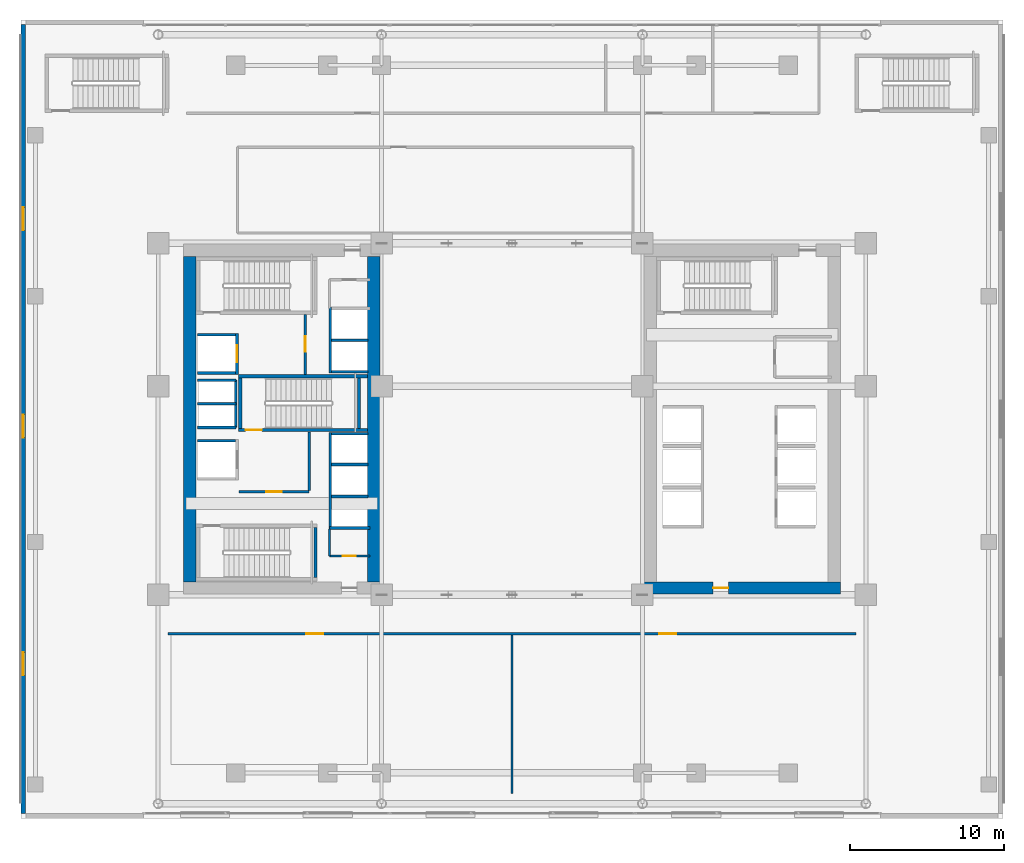
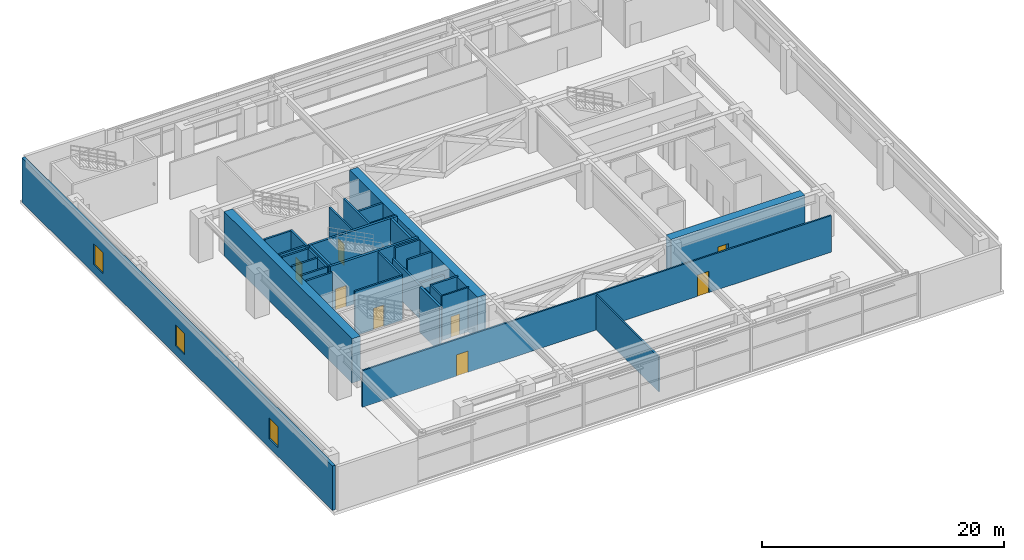
# One storey, part 19 of 28: 32 walls, 8 doors, 3 windows, 11 openings.
"""IFC4 building model written with IfcOpenShell, lengths in metres."""

from ifc_helpers import new_model, si_unit, direction, frame, frame_2d, origin, place, context, subcontext, project, spatial, rectangle, extrude, source, transform, mapped, material, layer, layer_set, type_object, element, fill, save


model = new_model("IFC4")

# Units and contexts
model_context = context("Model", 3, precision=1e-05, world=origin(), true_north=direction((0.0, 1.0)))
body_context = subcontext(model_context, "Body", "Model", "MODEL_VIEW")
ifc_project = project(units=[si_unit("LENGTHUNIT", "METRE"), si_unit("AREAUNIT", "SQUARE_METRE"), si_unit("VOLUMEUNIT", "CUBIC_METRE"), si_unit("PLANEANGLEUNIT", "RADIAN"), si_unit("MASSUNIT", "GRAM", prefix="KILO")], contexts=[model_context])

# Site, building, storey
site_placement = place(None, origin())
site = spatial("IfcSite", under=ifc_project, at=site_placement, CompositionType="ELEMENT")
building_placement = place(site_placement, origin())
building = spatial("IfcBuilding", under=site, at=building_placement, Name="Ocotamira Hotel", CompositionType="ELEMENT")
storey_placement = place(building_placement, frame((0.0, 0.0, 24.0)))
storey = spatial("IfcBuildingStorey", under=building, at=storey_placement, Name="L05", CompositionType="ELEMENT", Elevation=24.0)

# Walls
ifc_material_1 = material(Name="Concrete C60/75", Category="concrete")
ifc_layer_1 = layer(ifc_material_1, 0.800048828125)
ifc_layer_set_1 = layer_set([ifc_layer_1], Name="Concrete C60/75")
wall_type_1 = type_object("IfcWallType", Name="WL-CORE-800", PredefinedType="SHEAR", material=ifc_layer_set_1)
for number, where, z_axis, x_axis, name in (
    (1, (11.0, 15.39990234375, 0.0), (0.0, 0.0, 1.0), (0.0, 1.0, 0.0), "L05 Shear Core Wall WCORE-W"),
    (2, (23.0, 15.39990234375, 0.0), (0.0, 0.0, 1.0), (0.0, 1.0, 0.0), "L05 Shear Core Wall WCORE-E"),
):
    element("IfcWall", number, at=place(storey_placement, frame(where, z_axis=z_axis, x_axis=x_axis)), inside=storey, type_object=wall_type_1, Name=name, PredefinedType="SHEAR", context=body_context, shape_type="SweptSolid", body=[
        extrude(rectangle(XDim=21.2001953125, YDim=0.800048828125, at=frame_2d((10.60009765625, 0.0))), origin(), (0.0, 0.0, 1.0), 4.47998046875),
    ])

# Wall, opening, door
wall_1_placement = place(storey_placement, frame((40.60009765625, 15.0, 0.0), z_axis=(0.0, 0.0, 1.0), x_axis=(1.0, 0.0, 0.0)))
wall_1 = element("IfcWall", 3, at=wall_1_placement, inside=storey, type_object=wall_type_1, Name="L05 Shear Core Wall ECORE-S", PredefinedType="SHEAR", context=body_context, shape_type="SweptSolid", body=[
    extrude(rectangle(XDim=12.7998046875, YDim=0.800048828125, at=frame_2d((6.39990234375, 0.0))), origin(), (0.0, 0.0, 1.0), 4.47998046875),
])
opening_1_placement = place(wall_1_placement, frame((4.5, 0.0, 0.0)))
opening_1 = element("IfcOpeningElement", 4, at=opening_1_placement, cuts=wall_1, Name="Opening D-FR2", PredefinedType="OPENING", context=body_context, shape_type="SweptSolid", body=[
    extrude(rectangle(XDim=1.0, YDim=2.14990234375, at=frame_2d((0.5, 1.074951171875))), frame((0.0, 0.41015625, 0.0), z_axis=(0.0, -1.0, 0.0), x_axis=(1.0, 0.0, 0.0)), (0.0, 0.0, 1.0), 0.820068359375),
])
ifc_material_2 = material(Name="Fire-rated acoustic timber-veneer door", Category="wood")
door_type_1 = type_object("IfcDoorType", Name="DR-FIRE-1000", OperationType="NOTDEFINED", PredefinedType="DOOR", material=ifc_material_2)
shared_shape_1 = source(origin(), body_context, "Body", "SweptSolid", [
    extrude(rectangle(XDim=1.0, YDim=2.14990234375, at=frame_2d((0.5, 1.074951171875))), frame((0.0, 0.02490234375, 0.0), z_axis=(0.0, -1.0, 0.0), x_axis=(1.0, 0.0, 0.0)), (0.0, 0.0, 1.0), 0.050048828125),
])
door_1_placement = place(opening_1_placement, origin())
door_1 = element("IfcDoor", 5, at=door_1_placement, inside=storey, type_object=door_type_1, Name="L05 Door ID-L05-ELOB-S-D [ID-L05-ELOB-S-D]", OperationType="SINGLE_SWING_RIGHT", OverallHeight=2.14990234375, OverallWidth=1.0, PredefinedType="DOOR", context=body_context, shape_type="MappedRepresentation", body=[
    mapped(shared_shape_1, transform((0.0, 0.0, 0.0), scale=1.0)),
])
fill(opening_1, door_1)

# Wall, openings, windows
ifc_material_3 = material(Name="Travertine-clad precast concrete C45/55", Category="masonry")
ifc_layer_2 = layer(ifc_material_3, 0.300048828125)
ifc_layer_set_2 = layer_set([ifc_layer_2], Name="Travertine-clad precast concrete C45/55")
wall_type_2 = type_object("IfcWallType", Name="WL-EXT-POD-300", PredefinedType="SOLIDWALL", material=ifc_layer_set_2)
wall_2_placement = place(storey_placement, frame((0.14990234375, 0.300048828125, 0.0), z_axis=(0.0, 0.0, 1.0), x_axis=(0.0, 1.0, 0.0)))
wall_2 = element("IfcWall", 6, at=wall_2_placement, inside=storey, type_object=wall_type_2, Name="L05 West Podium Travertine Wall", PredefinedType="SOLIDWALL", context=body_context, shape_type="SweptSolid", body=[
    extrude(rectangle(XDim=51.39990234375, YDim=0.300048828125, at=frame_2d((25.699951171875, 0.0))), origin(), (0.0, 0.0, 1.0), 4.47998046875),
])
opening_2_placement = place(wall_2_placement, frame((9.0, 0.0, 0.89990234375)))
opening_2 = element("IfcOpeningElement", 7, at=opening_2_placement, cuts=wall_2, Name="Opening WN-6", PredefinedType="OPENING", context=body_context, shape_type="SweptSolid", body=[
    extrude(rectangle(XDim=1.5, YDim=2.10009765625, at=frame_2d((0.75, 1.050048828125))), frame((0.0, 0.16015625, 0.0), z_axis=(0.0, -1.0, 0.0), x_axis=(1.0, 0.0, 0.0)), (0.0, 0.0, 1.0), 0.320068359375),
])
opening_3_placement = place(wall_2_placement, frame((24.5, 0.0, 0.89990234375)))
opening_3 = element("IfcOpeningElement", 8, at=opening_3_placement, cuts=wall_2, Name="Opening WN-6", PredefinedType="OPENING", context=body_context, shape_type="SweptSolid", body=[
    extrude(rectangle(XDim=1.5, YDim=2.10009765625, at=frame_2d((0.75, 1.050048828125))), frame((0.0, 0.16015625, 0.0), z_axis=(0.0, -1.0, 0.0), x_axis=(1.0, 0.0, 0.0)), (0.0, 0.0, 1.0), 0.320068359375),
])
opening_4_placement = place(wall_2_placement, frame((38.0, 0.0, 0.89990234375)))
opening_4 = element("IfcOpeningElement", 9, at=opening_4_placement, cuts=wall_2, Name="Opening WN-6", PredefinedType="OPENING", context=body_context, shape_type="SweptSolid", body=[
    extrude(rectangle(XDim=1.5, YDim=2.10009765625, at=frame_2d((0.75, 1.050048828125))), frame((0.0, 0.16015625, 0.0), z_axis=(0.0, -1.0, 0.0), x_axis=(1.0, 0.0, 0.0)), (0.0, 0.0, 1.0), 0.320068359375),
])
ifc_material_4 = material(Name="Double-silver low-E solar glass", Category="glass")
window_type = type_object("IfcWindowType", Name="WIN-POD-1500", PartitioningType="SINGLE_PANEL", PredefinedType="WINDOW", material=ifc_material_4)
shared_shape_2 = source(origin(), body_context, "Body", "SweptSolid", [
    extrude(rectangle(XDim=1.5, YDim=2.10009765625, at=frame_2d((0.75, 1.050048828125))), frame((0.0, 0.030029296875, 0.0), z_axis=(0.0, -1.0, 0.0), x_axis=(1.0, 0.0, 0.0)), (0.0, 0.0, 1.0), 0.06005859375),
])
window_1_placement = place(opening_2_placement, origin())
window_1 = element("IfcWindow", 10, at=window_1_placement, inside=storey, type_object=window_type, Name="L05 West Podium Window 1", OverallHeight=2.10009765625, OverallWidth=1.5, PartitioningType="SINGLE_PANEL", PredefinedType="WINDOW", context=body_context, shape_type="MappedRepresentation", body=[
    mapped(shared_shape_2, transform((0.0, 0.0, 0.0), scale=1.0)),
])
fill(opening_2, window_1)
window_2_placement = place(opening_3_placement, origin())
window_2 = element("IfcWindow", 11, at=window_2_placement, inside=storey, type_object=window_type, Name="L05 West Podium Window 2", OverallHeight=2.10009765625, OverallWidth=1.5, PartitioningType="SINGLE_PANEL", PredefinedType="WINDOW", context=body_context, shape_type="MappedRepresentation", body=[
    mapped(shared_shape_2, transform((0.0, 0.0, 0.0), scale=1.0)),
])
fill(opening_3, window_2)
window_3_placement = place(opening_4_placement, origin())
window_3 = element("IfcWindow", 12, at=window_3_placement, inside=storey, type_object=window_type, Name="L05 West Podium Window 3", OverallHeight=2.10009765625, OverallWidth=1.5, PartitioningType="SINGLE_PANEL", PredefinedType="WINDOW", context=body_context, shape_type="MappedRepresentation", body=[
    mapped(shared_shape_2, transform((0.0, 0.0, 0.0), scale=1.0)),
])
fill(opening_4, window_3)

# Wall, opening, door
ifc_material_5 = material(Name="Acoustic double-layer fire gypsum board partition", Category="gypsum")
ifc_layer_3 = layer(ifc_material_5, 0.159912109375)
ifc_layer_set_3 = layer_set([ifc_layer_3], Name="Acoustic double-layer fire gypsum board partition")
wall_type_3 = type_object("IfcWallType", Name="WL-FIRE-160", PredefinedType="PARTITIONING", material=ifc_layer_set_3)
wall_3_placement = place(storey_placement, frame((14.199951171875, 21.27001953125, 0.0), z_axis=(0.0, 0.0, 1.0), x_axis=(1.0, 0.0, 0.0)))
wall_3 = element("IfcWall", 13, at=wall_3_placement, inside=storey, type_object=wall_type_3, Name="L05 Interior Wall PW-L05-FSAE1-S", PredefinedType="PARTITIONING", context=body_context, shape_type="SweptSolid", body=[
    extrude(rectangle(XDim=4.580078125, YDim=0.159912109375, at=frame_2d((2.2900390625, 0.0))), origin(), (0.0, 0.0, 1.0), 4.47998046875),
])
opening_5_placement = place(wall_3_placement, frame((1.800048828125, 0.0, 0.0)))
opening_5 = element("IfcOpeningElement", 14, at=opening_5_placement, cuts=wall_3, Name="Opening D-FR2", PredefinedType="OPENING", context=body_context, shape_type="SweptSolid", body=[
    extrude(rectangle(XDim=1.0, YDim=2.14990234375, at=frame_2d((0.5, 1.074951171875))), frame((0.0, 0.08984375, 0.0), z_axis=(0.0, -1.0, 0.0), x_axis=(1.0, 0.0, 0.0)), (0.0, 0.0, 1.0), 0.179931640625),
])
door_2_placement = place(opening_5_placement, origin())
door_2 = element("IfcDoor", 15, at=door_2_placement, inside=storey, type_object=door_type_1, Name="L05 Door ID-L05-FSAE1-D [ID-L05-FSAE1-D]", OperationType="SINGLE_SWING_LEFT", OverallHeight=2.14990234375, OverallWidth=1.0, PredefinedType="DOOR", context=body_context, shape_type="MappedRepresentation", body=[
    mapped(shared_shape_1, transform((0.0, 0.0, 0.0), scale=1.0)),
])
fill(opening_5, door_2)

# Wall
wall_4_placement = place(storey_placement, frame((18.780029296875, 21.35009765625, 0.0), z_axis=(0.0, 0.0, 1.0), x_axis=(0.0, 1.0, 0.0)))
element("IfcWall", 16, at=wall_4_placement, inside=storey, type_object=wall_type_3, Name="L05 Interior Wall PW-L05-FSAE1-E", PredefinedType="PARTITIONING", context=body_context, shape_type="SweptSolid", body=[
    extrude(rectangle(XDim=3.809814453125, YDim=0.159912109375, at=frame_2d((1.90478515625, 0.0))), origin(), (0.0, 0.0, 1.0), 4.47998046875),
])

# Wall, opening, door
wall_5_placement = place(storey_placement, frame((18.530029296875, 28.89990234375, 0.0), z_axis=(0.0, 0.0, 1.0), x_axis=(0.0, 1.0, 0.0)))
wall_5 = element("IfcWall", 17, at=wall_5_placement, inside=storey, type_object=wall_type_3, Name="L05 Interior Wall PW-L05-FSAE2-E", PredefinedType="PARTITIONING", context=body_context, shape_type="SweptSolid", body=[
    extrude(rectangle(XDim=3.900146484375, YDim=0.159912109375, at=frame_2d((1.9501953125, 0.0))), origin(), (0.0, 0.0, 1.0), 4.47998046875),
])
opening_6_placement = place(wall_5_placement, frame((1.5, 0.0, 0.0)))
opening_6 = element("IfcOpeningElement", 18, at=opening_6_placement, cuts=wall_5, Name="Opening D-FR2", PredefinedType="OPENING", context=body_context, shape_type="SweptSolid", body=[
    extrude(rectangle(XDim=1.0, YDim=2.14990234375, at=frame_2d((0.5, 1.074951171875))), frame((0.0, 0.08984375, 0.0), z_axis=(0.0, -1.0, 0.0), x_axis=(1.0, 0.0, 0.0)), (0.0, 0.0, 1.0), 0.179931640625),
])
door_3_placement = place(opening_6_placement, origin())
door_3 = element("IfcDoor", 19, at=door_3_placement, inside=storey, type_object=door_type_1, Name="L05 Door ID-L05-FSAE2-D [ID-L05-FSAE2-D]", OperationType="SINGLE_SWING_RIGHT", OverallHeight=2.14990234375, OverallWidth=1.0, PredefinedType="DOOR", context=body_context, shape_type="MappedRepresentation", body=[
    mapped(shared_shape_1, transform((0.0, 0.0, 0.0), scale=1.0)),
])
fill(opening_6, door_3)

# Wall
ifc_material_6 = material(Name="Acoustic hospitality gypsum board partition", Category="gypsum")
ifc_layer_4 = layer(ifc_material_6, 0.14208984375)
ifc_layer_set_4 = layer_set([ifc_layer_4], Name="Acoustic hospitality gypsum board partition")
wall_type_4 = type_object("IfcWallType", Name="WL-PART-142", PredefinedType="PARTITIONING", material=ifc_layer_set_4)
wall_6_placement = place(storey_placement, frame((20.1201171875, 17.080078125, 0.0), z_axis=(0.0, 0.0, 1.0), x_axis=(0.0, 1.0, 0.0)))
element("IfcWall", 20, at=wall_6_placement, inside=storey, type_object=wall_type_4, Name="L05 Interior Wall PW-L05-WC-SE-W2", PredefinedType="PARTITIONING", context=body_context, shape_type="SweptSolid", body=[
    extrude(rectangle(XDim=1.760009765625, YDim=0.14208984375, at=frame_2d((0.8798828125, 0.0))), origin(), (0.0, 0.0, 1.0), 4.47998046875),
])

# Wall, opening, door
wall_7_placement = place(storey_placement, frame((20.1201171875, 17.080078125, 0.0), z_axis=(0.0, 0.0, 1.0), x_axis=(1.0, 0.0, 0.0)))
wall_7 = element("IfcWall", 21, at=wall_7_placement, inside=storey, type_object=wall_type_4, Name="L05 Interior Wall PW-L05-WC-SE-S2", PredefinedType="PARTITIONING", context=body_context, shape_type="SweptSolid", body=[
    extrude(rectangle(XDim=2.6298828125, YDim=0.14208984375, at=frame_2d((1.31494140625, 0.0))), origin(), (0.0, 0.0, 1.0), 4.47998046875),
])
opening_7_placement = place(wall_7_placement, frame((0.85009765625, 0.0, 0.0)))
opening_7 = element("IfcOpeningElement", 22, at=opening_7_placement, cuts=wall_7, Name="Opening D-SV1", PredefinedType="OPENING", context=body_context, shape_type="SweptSolid", body=[
    extrude(rectangle(XDim=0.840087890625, YDim=2.10009765625, at=frame_2d((0.419921875, 1.050048828125))), frame((0.0, 0.0810546875, 0.0), z_axis=(0.0, -1.0, 0.0), x_axis=(1.0, 0.0, 0.0)), (0.0, 0.0, 1.0), 0.162109375),
])
ifc_material_7 = material(Name="Fire-rated painted steel service door", Category="steel")
door_type_2 = type_object("IfcDoorType", Name="DR-SERV-840", OperationType="NOTDEFINED", PredefinedType="DOOR", material=ifc_material_7)
shared_shape_3 = source(origin(), body_context, "Body", "SweptSolid", [
    extrude(rectangle(XDim=0.840087890625, YDim=2.10009765625, at=frame_2d((0.419921875, 1.050048828125))), frame((0.0, 0.02490234375, 0.0), z_axis=(0.0, -1.0, 0.0), x_axis=(1.0, 0.0, 0.0)), (0.0, 0.0, 1.0), 0.050048828125),
])
door_4_placement = place(opening_7_placement, origin())
door_4 = element("IfcDoor", 23, at=door_4_placement, inside=storey, type_object=door_type_2, Name="L05 Door ID-L05-WC-SE-D2 [ID-L05-WC-SE-D2]", OperationType="SINGLE_SWING_LEFT", OverallHeight=2.10009765625, OverallWidth=0.840087890625, PredefinedType="DOOR", context=body_context, shape_type="MappedRepresentation", body=[
    mapped(shared_shape_3, transform((0.0, 0.0, 0.0), scale=1.0)),
])
fill(opening_7, door_4)

# Wall
ifc_layer_5 = layer(ifc_material_6, 0.14990234375)
ifc_layer_set_5 = layer_set([ifc_layer_5], Name="Acoustic hospitality gypsum board partition")
wall_type_5 = type_object("IfcWallType", Name="WL-PART-150", PredefinedType="PARTITIONING", material=ifc_layer_set_5)
wall_8_placement = place(storey_placement, frame((32.0, 1.60009765625, 0.0), z_axis=(0.0, 0.0, 1.0), x_axis=(0.0, 1.0, 0.0)))
element("IfcWall", 24, at=wall_8_placement, inside=storey, type_object=wall_type_5, Name="L05 Interior Wall PW-L05-L05-SG-DIV", PredefinedType="PARTITIONING", context=body_context, shape_type="SweptSolid", body=[
    extrude(rectangle(XDim=10.349853515625, YDim=0.14990234375, at=frame_2d((5.1748046875, 0.0))), origin(), (0.0, 0.0, 1.0), 3.531982421875),
])

# Wall, openings, doors
wall_9_placement = place(storey_placement, frame((9.60009765625, 12.02001953125, 0.0), z_axis=(0.0, 0.0, 1.0), x_axis=(1.0, 0.0, 0.0)))
wall_9 = element("IfcWall", 25, at=wall_9_placement, inside=storey, type_object=wall_type_5, Name="L05 Interior Wall PW-L05-L05-S-WALL", PredefinedType="PARTITIONING", context=body_context, shape_type="SweptSolid", body=[
    extrude(rectangle(XDim=44.7998046875, YDim=0.14990234375, at=frame_2d((22.39990234375, 0.0))), origin(), (0.0, 0.0, 1.0), 3.700927734375),
])
opening_8_placement = place(wall_9_placement, frame((9.0, 0.0, 0.0)))
opening_8 = element("IfcOpeningElement", 26, at=opening_8_placement, cuts=wall_9, Name="Opening D-FR1", PredefinedType="OPENING", context=body_context, shape_type="SweptSolid", body=[
    extrude(rectangle(XDim=1.10009765625, YDim=2.14990234375, at=frame_2d((0.550048828125, 1.074951171875))), frame((0.0, 0.0849609375, 0.0), z_axis=(0.0, -1.0, 0.0), x_axis=(1.0, 0.0, 0.0)), (0.0, 0.0, 1.0), 0.169921875),
])
opening_9_placement = place(wall_9_placement, frame((32.0, 0.0, 0.0)))
opening_9 = element("IfcOpeningElement", 27, at=opening_9_placement, cuts=wall_9, Name="Opening D-FR1", PredefinedType="OPENING", context=body_context, shape_type="SweptSolid", body=[
    extrude(rectangle(XDim=1.10009765625, YDim=2.14990234375, at=frame_2d((0.550048828125, 1.074951171875))), frame((0.0, 0.0849609375, 0.0), z_axis=(0.0, -1.0, 0.0), x_axis=(1.0, 0.0, 0.0)), (0.0, 0.0, 1.0), 0.169921875),
])
door_type_3 = type_object("IfcDoorType", Name="DR-FIRE-1100", OperationType="NOTDEFINED", PredefinedType="DOOR", material=ifc_material_2)
shared_shape_4 = source(origin(), body_context, "Body", "SweptSolid", [
    extrude(rectangle(XDim=1.10009765625, YDim=2.14990234375, at=frame_2d((0.550048828125, 1.074951171875))), frame((0.0, 0.02490234375, 0.0), z_axis=(0.0, -1.0, 0.0), x_axis=(1.0, 0.0, 0.0)), (0.0, 0.0, 1.0), 0.050048828125),
])
door_5_placement = place(opening_8_placement, origin())
door_5 = element("IfcDoor", 28, at=door_5_placement, inside=storey, type_object=door_type_3, Name="L05 Door ID-L05-L05-SPA-D [ID-L05-L05-SPA-D]", OperationType="SINGLE_SWING_LEFT", OverallHeight=2.14990234375, OverallWidth=1.10009765625, PredefinedType="DOOR", context=body_context, shape_type="MappedRepresentation", body=[
    mapped(shared_shape_4, transform((0.0, 0.0, 0.0), scale=1.0)),
])
fill(opening_8, door_5)
door_6_placement = place(opening_9_placement, origin())
door_6 = element("IfcDoor", 29, at=door_6_placement, inside=storey, type_object=door_type_3, Name="L05 Door ID-L05-L05-GYM-D [ID-L05-L05-GYM-D]", OperationType="SINGLE_SWING_RIGHT", OverallHeight=2.14990234375, OverallWidth=1.10009765625, PredefinedType="DOOR", context=body_context, shape_type="MappedRepresentation", body=[
    mapped(shared_shape_4, transform((0.0, 0.0, 0.0), scale=1.0)),
])
fill(opening_9, door_6)

# Walls
ifc_material_8 = material(Name="Fire-rated gypsum shaftliner board assembly", Category="gypsum")
ifc_layer_6 = layer(ifc_material_8, 0.179931640625)
ifc_layer_set_6 = layer_set([ifc_layer_6], Name="Fire-rated gypsum shaftliner board assembly")
wall_type_6 = type_object("IfcWallType", Name="WL-SHAFT-180", PredefinedType="SOLIDWALL", material=ifc_layer_set_6)
wall_10_placement = place(storey_placement, frame((20.159912109375, 18.820068359375, 0.0), z_axis=(0.0, 0.0, 1.0), x_axis=(0.0, 1.0, 0.0)))
element("IfcWall", 30, at=wall_10_placement, inside=storey, type_object=wall_type_6, Name="L05 Interior Wall PW-L05-LFW-BANK-high-F", PredefinedType="SOLIDWALL", context=body_context, shape_type="SweptSolid", body=[
    extrude(rectangle(XDim=6.31982421875, YDim=0.179931640625, at=frame_2d((3.159912109375, 0.0))), origin(), (0.0, 0.0, 1.0), 3.3798828125),
])
wall_11_placement = place(storey_placement, frame((20.1201171875, 18.909912109375, 0.0), z_axis=(0.0, 0.0, 1.0), x_axis=(1.0, 0.0, 0.0)))
element("IfcWall", 31, at=wall_11_placement, inside=storey, type_object=wall_type_6, Name="L05 Interior Wall PW-L05-LFW-BANK-high-S", PredefinedType="SOLIDWALL", context=body_context, shape_type="SweptSolid", body=[
    extrude(rectangle(XDim=2.6298828125, YDim=0.179931640625, at=frame_2d((1.31494140625, 0.0))), origin(), (0.0, 0.0, 1.0), 4.47998046875),
])
wall_12_placement = place(storey_placement, frame((20.25, 25.050048828125, 0.0), z_axis=(0.0, 0.0, 1.0), x_axis=(1.0, 0.0, 0.0)))
element("IfcWall", 32, at=wall_12_placement, inside=storey, type_object=wall_type_6, Name="L05 Interior Wall PW-L05-LFW-BANK-high-N", PredefinedType="SOLIDWALL", context=body_context, shape_type="SweptSolid", body=[
    extrude(rectangle(XDim=2.360107421875, YDim=0.179931640625, at=frame_2d((1.18017578125, 0.0))), origin(), (0.0, 0.0, 1.0), 4.47998046875),
])
wall_13_placement = place(storey_placement, frame((20.25, 20.965087890625, 0.0), z_axis=(0.0, 0.0, 1.0), x_axis=(1.0, 0.0, 0.0)))
element("IfcWall", 33, at=wall_13_placement, inside=storey, type_object=wall_type_6, Name="L05 Interior Wall PW-L05-LFW-DIV-LF-P7", PredefinedType="SOLIDWALL", context=body_context, shape_type="SweptSolid", body=[
    extrude(rectangle(XDim=2.360107421875, YDim=0.179931640625, at=frame_2d((1.18017578125, 0.0))), origin(), (0.0, 0.0, 1.0), 3.3798828125),
])
wall_14_placement = place(storey_placement, frame((20.25, 23.044921875, 0.0), z_axis=(0.0, 0.0, 1.0), x_axis=(1.0, 0.0, 0.0)))
element("IfcWall", 34, at=wall_14_placement, inside=storey, type_object=wall_type_6, Name="L05 Interior Wall PW-L05-LFW-DIV-LF-P8", PredefinedType="SOLIDWALL", context=body_context, shape_type="SweptSolid", body=[
    extrude(rectangle(XDim=2.360107421875, YDim=0.179931640625, at=frame_2d((1.18017578125, 0.0))), origin(), (0.0, 0.0, 1.0), 4.47998046875),
])
wall_15_placement = place(storey_placement, frame((20.159912109375, 29.0, 0.0), z_axis=(0.0, 0.0, 1.0), x_axis=(0.0, 1.0, 0.0)))
element("IfcWall", 35, at=wall_15_placement, inside=storey, type_object=wall_type_6, Name="L05 Interior Wall PW-L05-LFW-BANK-obs-F", PredefinedType="SOLIDWALL", context=body_context, shape_type="SweptSolid", body=[
    extrude(rectangle(XDim=4.2900390625, YDim=0.179931640625, at=frame_2d((2.14501953125, 0.0))), origin(), (0.0, 0.0, 1.0), 4.47998046875),
])
for number, where, z_axis, x_axis, name in (
    (36, (20.25, 29.090087890625, 0.0), (0.0, 0.0, 1.0), (1.0, 0.0, 0.0), "L05 Interior Wall PW-L05-LFW-BANK-obs-S"),
    (37, (20.25, 31.14501953125, 0.0), (0.0, 0.0, 1.0), (1.0, 0.0, 0.0), "L05 Interior Wall PW-L05-LFW-DIV-LF-OBS1"),
):
    element("IfcWall", number, at=place(storey_placement, frame(where, z_axis=z_axis, x_axis=x_axis)), inside=storey, type_object=wall_type_6, Name=name, PredefinedType="SOLIDWALL", context=body_context, shape_type="SweptSolid", body=[
        extrude(rectangle(XDim=2.360107421875, YDim=0.179931640625, at=frame_2d((1.18017578125, 0.0))), origin(), (0.0, 0.0, 1.0), 4.47998046875),
    ])
for number, where, z_axis, x_axis, name in (
    (38, (11.5, 24.590087890625, 0.0), (0.0, 0.0, 1.0), (1.0, 0.0, 0.0), "L05 Interior Wall PW-L05-LFW-LF-FSAE1-N"),
    (39, (11.5, 29.010009765625, 0.0), (0.0, 0.0, 1.0), (1.0, 0.0, 0.0), "L05 Interior Wall PW-L05-LFW-LF-FSAE2-S"),
    (40, (11.5, 31.489990234375, 0.0), (0.0, 0.0, 1.0), (1.0, 0.0, 0.0), "L05 Interior Wall PW-L05-LFW-LF-FSAE2-N"),
):
    element("IfcWall", number, at=place(storey_placement, frame(where, z_axis=z_axis, x_axis=x_axis)), inside=storey, type_object=wall_type_6, Name=name, PredefinedType="SOLIDWALL", context=body_context, shape_type="SweptSolid", body=[
        extrude(rectangle(XDim=2.5, YDim=0.179931640625, at=frame_2d((1.25, 0.0))), origin(), (0.0, 0.0, 1.0), 4.47998046875),
    ])

# Wall, opening, door
wall_16_placement = place(storey_placement, frame((14.090087890625, 28.919921875, 0.0), z_axis=(0.0, 0.0, 1.0), x_axis=(0.0, 1.0, 0.0)))
wall_16 = element("IfcWall", 41, at=wall_16_placement, inside=storey, type_object=wall_type_6, Name="L05 Interior Wall PW-L05-LFW-LF-FSAE2-E", PredefinedType="SOLIDWALL", context=body_context, shape_type="SweptSolid", body=[
    extrude(rectangle(XDim=2.66015625, YDim=0.179931640625, at=frame_2d((1.330078125, 0.0))), origin(), (0.0, 0.0, 1.0), 4.47998046875),
])
opening_10_placement = place(wall_16_placement, frame((0.780029296875, 0.0, 0.0)))
opening_10 = element("IfcOpeningElement", 42, at=opening_10_placement, cuts=wall_16, Name="Opening LD-LF-FSAE2", PredefinedType="OPENING", context=body_context, shape_type="SweptSolid", body=[
    extrude(rectangle(XDim=1.10009765625, YDim=2.199951171875, at=frame_2d((0.550048828125, 1.10009765625))), frame((0.0, 0.10009765625, 0.0), z_axis=(0.0, -1.0, 0.0), x_axis=(1.0, 0.0, 0.0)), (0.0, 0.0, 1.0), 0.199951171875),
])
ifc_material_9 = material(Name="Brushed pale-metal stainless elevator landing door", Category="steel")
door_type_4 = type_object("IfcDoorType", Name="DR-LIFT-1100", OperationType="NOTDEFINED", PredefinedType="DOOR", material=ifc_material_9)
shared_shape_5 = source(origin(), body_context, "Body", "SweptSolid", [
    extrude(rectangle(XDim=1.10009765625, YDim=2.199951171875, at=frame_2d((0.550048828125, 1.10009765625))), frame((0.0, 0.02490234375, 0.0), z_axis=(0.0, -1.0, 0.0), x_axis=(1.0, 0.0, 0.0)), (0.0, 0.0, 1.0), 0.050048828125),
])
door_7_placement = place(opening_10_placement, origin())
door_7 = element("IfcDoor", 43, at=door_7_placement, inside=storey, type_object=door_type_4, Name="L05 Landing Door LD-LF-FSAE2 [ID-L05-LD-LF-FSAE2]", OperationType="DOUBLE_DOOR_SLIDING", OverallHeight=2.199951171875, OverallWidth=1.10009765625, PredefinedType="DOOR", context=body_context, shape_type="MappedRepresentation", body=[
    mapped(shared_shape_5, transform((0.0, 0.0, 0.0), scale=1.0)),
])
fill(opening_10, door_7)

# Walls
for number, where, z_axis, x_axis, name in (
    (44, (11.5, 25.4599609375, 0.0), (0.0, 0.0, 1.0), (1.0, 0.0, 0.0), "L05 Interior Wall PW-L05-RSW-S"),
    (45, (11.5, 27.0, 0.0), (0.0, 0.0, 1.0), (1.0, 0.0, 0.0), "L05 Interior Wall PW-L05-RSW-MID"),
    (46, (11.5, 28.5400390625, 0.0), (0.0, 0.0, 1.0), (1.0, 0.0, 0.0), "L05 Interior Wall PW-L05-RSW-N"),
):
    element("IfcWall", number, at=place(storey_placement, frame(where, z_axis=z_axis, x_axis=x_axis)), inside=storey, type_object=wall_type_6, Name=name, PredefinedType="SOLIDWALL", context=body_context, shape_type="SweptSolid", body=[
        extrude(rectangle(XDim=2.510009765625, YDim=0.179931640625, at=frame_2d((1.2548828125, 0.0))), origin(), (0.0, 0.0, 1.0), 4.47998046875),
    ])
wall_17_placement = place(storey_placement, frame((14.010009765625, 25.4599609375, 0.0), z_axis=(0.0, 0.0, 1.0), x_axis=(0.0, 1.0, 0.0)))
element("IfcWall", 47, at=wall_17_placement, inside=storey, type_object=wall_type_6, Name="L05 Interior Wall PW-L05-RSW-E", PredefinedType="SOLIDWALL", context=body_context, shape_type="SweptSolid", body=[
    extrude(rectangle(XDim=3.080078125, YDim=0.179931640625, at=frame_2d((1.5400390625, 0.0))), origin(), (0.0, 0.0, 1.0), 4.47998046875),
])
ifc_material_10 = material(Name="Concrete C50/60", Category="concrete")
ifc_layer_7 = layer(ifc_material_10, 0.219970703125)
ifc_layer_set_7 = layer_set([ifc_layer_7], Name="Concrete C50/60")
wall_type_7 = type_object("IfcWallType", Name="WL-STAIR-220", PredefinedType="SHEAR", material=ifc_layer_set_7)
wall_18_placement = place(storey_placement, frame((19.199951171875, 15.669921875, 0.0), z_axis=(0.0, 0.0, 1.0), x_axis=(0.0, 1.0, 0.0)))
element("IfcWall", 48, at=wall_18_placement, inside=storey, type_object=wall_type_7, Name="L05 Stair Shaft Structural Wall ST-1-E", PredefinedType="SHEAR", context=body_context, shape_type="SweptSolid", body=[
    extrude(rectangle(XDim=3.280029296875, YDim=0.219970703125, at=frame_2d((1.64013671875, 0.0))), origin(), (0.0, 0.0, 1.0), 4.60009765625),
])

# Wall, opening, door
wall_19_placement = place(storey_placement, frame((14.179931640625, 25.2900390625, 0.0), z_axis=(0.0, 0.0, 1.0), x_axis=(1.0, 0.0, 0.0)))
wall_19 = element("IfcWall", 49, at=wall_19_placement, inside=storey, type_object=wall_type_7, Name="L05 Stair Shaft Structural Wall ST-3-S", PredefinedType="SHEAR", context=body_context, shape_type="SweptSolid", body=[
    extrude(rectangle(XDim=8.420166015625, YDim=0.219970703125, at=frame_2d((4.2099609375, 0.0))), origin(), (0.0, 0.0, 1.0), 4.60009765625),
])
opening_11_placement = place(wall_19_placement, frame((0.469970703125, 0.0, 0.0)))
opening_11 = element("IfcOpeningElement", 50, at=opening_11_placement, cuts=wall_19, Name="Opening D-ST2", PredefinedType="OPENING", context=body_context, shape_type="SweptSolid", body=[
    extrude(rectangle(XDim=1.050048828125, YDim=2.14990234375, at=frame_2d((0.52490234375, 1.074951171875))), frame((0.0, 0.1201171875, 0.0), z_axis=(0.0, -1.0, 0.0), x_axis=(1.0, 0.0, 0.0)), (0.0, 0.0, 1.0), 0.239990234375),
])
ifc_material_11 = material(Name="Insulated painted hollow-metal fire exit door", Category="steel")
door_type_5 = type_object("IfcDoorType", Name="DR-STAIR-1050", OperationType="NOTDEFINED", PredefinedType="DOOR", material=ifc_material_11)
shared_shape_6 = source(origin(), body_context, "Body", "SweptSolid", [
    extrude(rectangle(XDim=1.050048828125, YDim=2.14990234375, at=frame_2d((0.52490234375, 1.074951171875))), frame((0.0, 0.02490234375, 0.0), z_axis=(0.0, -1.0, 0.0), x_axis=(1.0, 0.0, 0.0)), (0.0, 0.0, 1.0), 0.050048828125),
])
door_8_placement = place(opening_11_placement, origin())
door_8 = element("IfcDoor", 51, at=door_8_placement, inside=storey, type_object=door_type_5, Name="L05 Door ID-L05-STD-ST-3 [ID-L05-STD-ST-3]", OperationType="SINGLE_SWING_RIGHT", OverallHeight=2.14990234375, OverallWidth=1.050048828125, PredefinedType="DOOR", context=body_context, shape_type="MappedRepresentation", body=[
    mapped(shared_shape_6, transform((0.0, 0.0, 0.0), scale=1.0)),
])
fill(opening_11, door_8)

# Walls
wall_20_placement = place(storey_placement, frame((14.179931640625, 28.7900390625, 0.0), z_axis=(0.0, 0.0, 1.0), x_axis=(1.0, 0.0, 0.0)))
element("IfcWall", 52, at=wall_20_placement, inside=storey, type_object=wall_type_7, Name="L05 Stair Shaft Structural Wall ST-3-N", PredefinedType="SHEAR", context=body_context, shape_type="SweptSolid", body=[
    extrude(rectangle(XDim=8.420166015625, YDim=0.219970703125, at=frame_2d((4.2099609375, 0.0))), origin(), (0.0, 0.0, 1.0), 4.60009765625),
])
for number, where, z_axis, x_axis, name in (
    (53, (14.2900390625, 25.39990234375, 0.0), (0.0, 0.0, 1.0), (0.0, 1.0, 0.0), "L05 Stair Shaft Structural Wall ST-3-W"),
    (54, (22.030029296875, 25.39990234375, 0.0), (0.0, 0.0, 1.0), (0.0, 1.0, 0.0), "L05 Stair Shaft Structural Wall ST-3-E"),
):
    element("IfcWall", number, at=place(storey_placement, frame(where, z_axis=z_axis, x_axis=x_axis)), inside=storey, type_object=wall_type_7, Name=name, PredefinedType="SHEAR", context=body_context, shape_type="SweptSolid", body=[
        extrude(rectangle(XDim=3.280029296875, YDim=0.219970703125, at=frame_2d((1.64013671875, 0.0))), origin(), (0.0, 0.0, 1.0), 4.60009765625),
    ])

save(model, "model.ifc")
